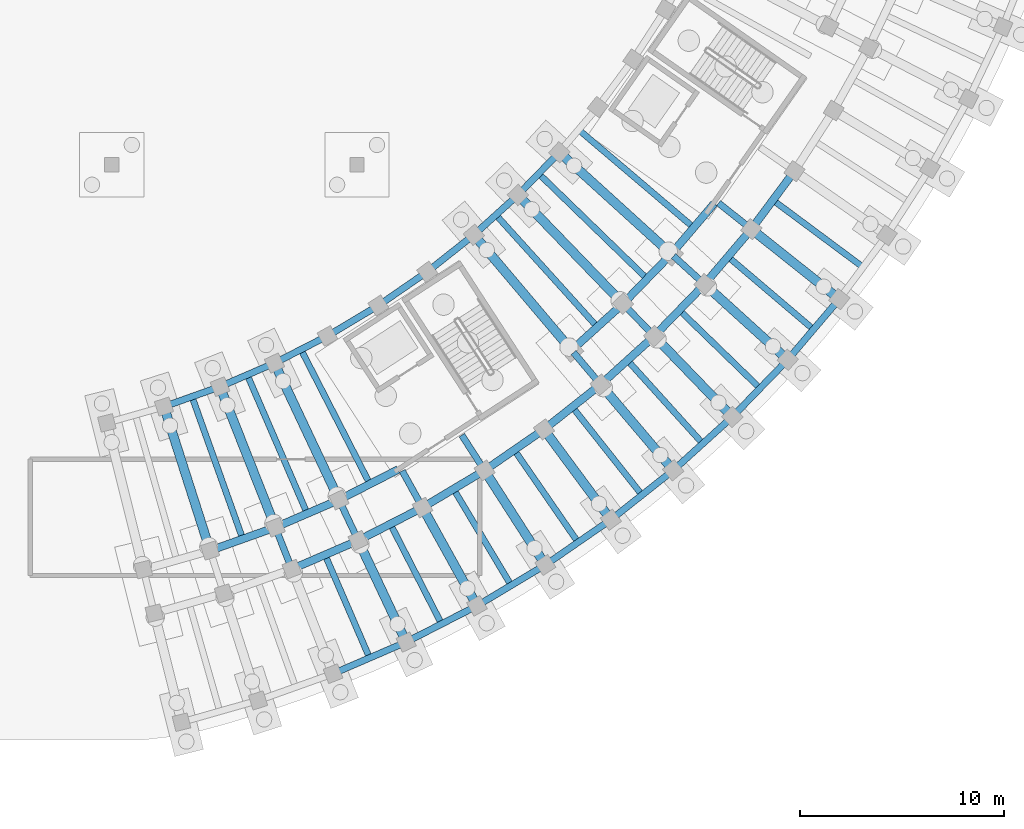
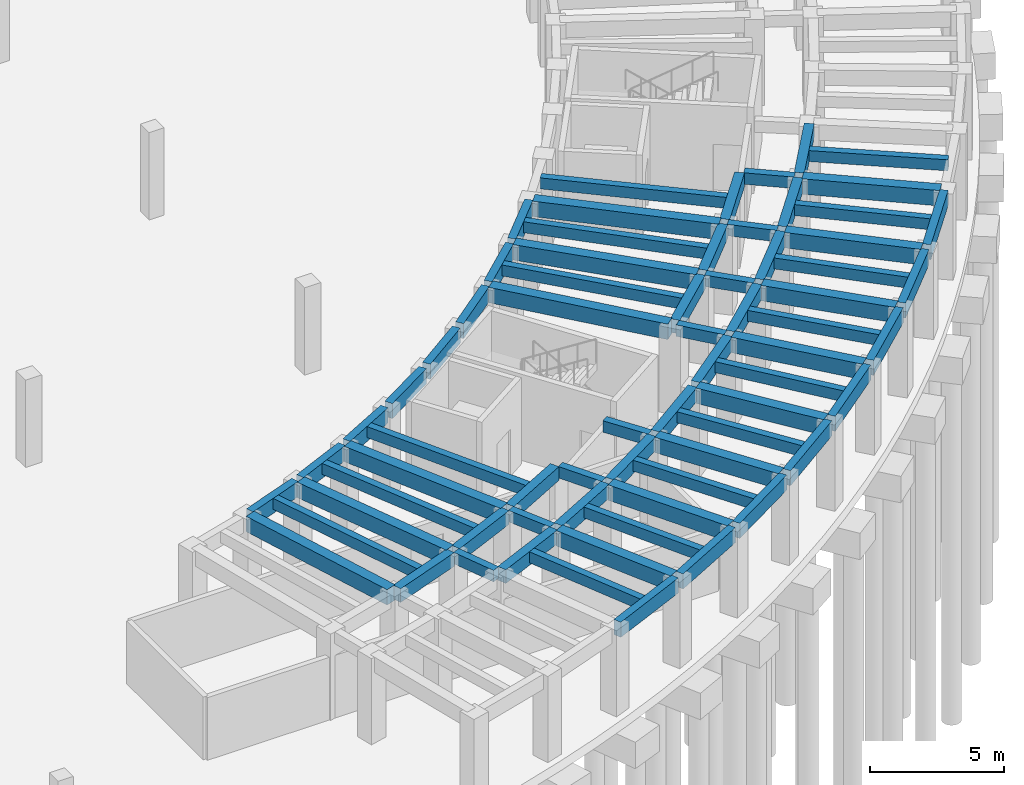
# One storey, part 14 of 29: 68 beams.
"""IFC4 building model written with IfcOpenShell, lengths in metres."""

from ifc_helpers import new_model, si_unit, direction, frame, origin, origin_2d, place, context, subcontext, project, spatial, rectangle, extrude, material, material_profile, profile_set, type_object, element, save


model = new_model("IFC4")

# Units and contexts
model_context = context("Model", 3, precision=1e-05, world=origin(), true_north=direction((0.0, 1.0)))
body_context = subcontext(model_context, "Body", "Model", "MODEL_VIEW")
ifc_project = project(units=[si_unit("LENGTHUNIT", "METRE"), si_unit("AREAUNIT", "SQUARE_METRE"), si_unit("VOLUMEUNIT", "CUBIC_METRE"), si_unit("PLANEANGLEUNIT", "RADIAN"), si_unit("MASSUNIT", "GRAM", prefix="KILO")], contexts=[model_context])

# Site, building, storey
site_placement = place(None, origin())
site = spatial("IfcSite", under=ifc_project, at=site_placement, CompositionType="ELEMENT")
building_placement = place(site_placement, origin())
building = spatial("IfcBuilding", under=site, at=building_placement, Name="Tanwirah Colonnade Gardens", CompositionType="ELEMENT")
storey_placement = place(building_placement, frame((0.0, 0.0, -4.199951171875)))
storey = spatial("IfcBuildingStorey", under=building, at=storey_placement, Name="B1", CompositionType="ELEMENT", Elevation=-4.199951171875)

# Beams
ifc_material_1 = material(Name="Precast concrete C40/50", Category="concrete")
ifc_material_profile_1 = material_profile(ifc_material_1, rectangle(XDim=0.320068359375, YDim=0.52001953125, at=origin_2d()), Name="PC-BM 320x520")
ifc_profile_set_1 = profile_set([ifc_material_profile_1], Name="Precast concrete C40/50")
beam_type_1 = type_object("IfcBeamType", Name="BM-PC320", PredefinedType="BEAM", material=ifc_profile_set_1)
beam_1_placement = place(storey_placement, frame((140.05810546875, 16.1181640625, 3.659912109375), z_axis=(0.366511033969, -0.930413704746, 0.0), x_axis=(0.930413704746, 0.366511033969, 0.0)))
element("IfcBeam", 1, at=beam_1_placement, inside=storey, type_object=beam_type_1, Name="Block D B1 Corridor Tie Beam 2", PredefinedType="BEAM", context=body_context, shape_type="SweptSolid", body=[
    extrude(rectangle(XDim=0.320068359375, YDim=0.52001953125, at=origin_2d()), origin(), (0.0, 0.0, 1.0), 1.899658203125),
])
beam_2_placement = place(storey_placement, frame((143.181640625, 17.46826171875, 3.659912109375), z_axis=(0.426483812015, -0.904495195172, 0.0), x_axis=(0.904495195172, 0.426483812015, 0.0)))
element("IfcBeam", 2, at=beam_2_placement, inside=storey, type_object=beam_type_1, Name="Block D B1 Corridor Tie Beam 3", PredefinedType="BEAM", context=body_context, shape_type="SweptSolid", body=[
    extrude(rectangle(XDim=0.320068359375, YDim=0.52001953125, at=origin_2d()), origin(), (0.0, 0.0, 1.0), 1.89990234375),
])
beam_3_placement = place(storey_placement, frame((146.210205078125, 19.019775390625, 3.659912109375), z_axis=(0.484791759649, -0.874629607192, 0.0), x_axis=(0.874629607192, 0.484791759649, 0.0)))
element("IfcBeam", 3, at=beam_3_placement, inside=storey, type_object=beam_type_1, Name="Block D B1 Corridor Tie Beam 4", PredefinedType="BEAM", context=body_context, shape_type="SweptSolid", body=[
    extrude(rectangle(XDim=0.320068359375, YDim=0.52001953125, at=origin_2d()), origin(), (0.0, 0.0, 1.0), 1.900146484375),
])
beam_4_placement = place(storey_placement, frame((149.130615234375, 20.765869140625, 3.659912109375), z_axis=(0.540984881989, -0.841032316537, 0.0), x_axis=(0.841032316537, 0.540984881989, 0.0)))
element("IfcBeam", 4, at=beam_4_placement, inside=storey, type_object=beam_type_1, Name="Block D B1 Corridor Tie Beam 5", PredefinedType="BEAM", context=body_context, shape_type="SweptSolid", body=[
    extrude(rectangle(XDim=0.320068359375, YDim=0.52001953125, at=origin_2d()), origin(), (0.0, 0.0, 1.0), 1.89990234375),
])
beam_5_placement = place(storey_placement, frame((154.598388671875, 24.81201171875, 3.659912109375), z_axis=(0.646155325581, -0.763205932382, 0.0), x_axis=(0.763205932382, 0.646155325581, 0.0)))
element("IfcBeam", 5, at=beam_5_placement, inside=storey, type_object=beam_type_1, Name="Block D B1 Corridor Tie Beam 7", PredefinedType="BEAM", context=body_context, shape_type="SweptSolid", body=[
    extrude(rectangle(XDim=0.320068359375, YDim=0.52001953125, at=origin_2d()), origin(), (0.0, 0.0, 1.0), 1.900146484375),
])
beam_6_placement = place(storey_placement, frame((157.122314453125, 27.09423828125, 3.659912109375), z_axis=(0.694663306685, -0.719335033448, 0.0), x_axis=(0.719335033448, 0.694663306685, 0.0)))
element("IfcBeam", 6, at=beam_6_placement, inside=storey, type_object=beam_type_1, Name="Block D B1 Corridor Tie Beam 8", PredefinedType="BEAM", context=body_context, shape_type="SweptSolid", body=[
    extrude(rectangle(XDim=0.320068359375, YDim=0.52001953125, at=origin_2d()), origin(), (0.0, 0.0, 1.0), 1.89990234375),
])
beam_7_placement = place(storey_placement, frame((159.491455078125, 29.536865234375, 3.659912109375), z_axis=(0.740219127015, -0.672365707038, 0.0), x_axis=(0.672365707038, 0.740219127015, 0.0)))
element("IfcBeam", 7, at=beam_7_placement, inside=storey, type_object=beam_type_1, Name="Block D B1 Corridor Tie Beam 9", PredefinedType="BEAM", context=body_context, shape_type="SweptSolid", body=[
    extrude(rectangle(XDim=0.320068359375, YDim=0.52001953125, at=origin_2d()), origin(), (0.0, 0.0, 1.0), 1.899658203125),
])
beam_8_placement = place(storey_placement, frame((161.695556640625, 32.129150390625, 3.659912109375), z_axis=(0.782670764896, -0.622435919415, 0.0), x_axis=(0.622435919415, 0.782670764896, 0.0)))
element("IfcBeam", 8, at=beam_8_placement, inside=storey, type_object=beam_type_1, Name="Block D B1 Corridor Tie Beam 10", PredefinedType="BEAM", context=body_context, shape_type="SweptSolid", body=[
    extrude(rectangle(XDim=0.320068359375, YDim=0.52001953125, at=origin_2d()), origin(), (0.0, 0.0, 1.0), 1.89990234375),
])
ifc_material_profile_2 = material_profile(ifc_material_1, rectangle(XDim=0.3798828125, YDim=0.6201171875, at=origin_2d()), Name="PC-BM 380x620")
ifc_profile_set_2 = profile_set([ifc_material_profile_2], Name="Precast concrete C40/50")
beam_type_2 = type_object("IfcBeamType", Name="BM-PC380", PredefinedType="BEAM", material=ifc_profile_set_2)
for number, where, z_axis, x_axis, name in (
    (9, (136.948486328125, 15.168701171875, 3.60986328125), (0.941911444877, 0.335861325564, 0.0), (-0.335861325564, 0.941911444877, 0.0), "Block D B1 Circumferential Beam 1-R1"),
    (10, (140.140869140625, 16.3173828125, 3.60986328125), (0.917936292782, 0.396727819032, 0.0), (-0.396727819032, 0.917936292782, 0.0), "Block D B1 Circumferential Beam 2-R1"),
):
    element("IfcBeam", number, at=place(storey_placement, frame(where, z_axis=z_axis, x_axis=x_axis)), inside=storey, type_object=beam_type_2, Name=name, PredefinedType="BEAM", context=body_context, shape_type="SweptSolid", body=[
        extrude(rectangle(XDim=0.3798828125, YDim=0.6201171875, at=origin_2d()), origin(), (0.0, 0.0, 1.0), 3.093017578125),
    ])
beam_9_placement = place(storey_placement, frame((140.947021484375, 14.2705078125, 3.60986328125), z_axis=(0.917943156181, 0.396711938338, 0.0), x_axis=(-0.396711938338, 0.917943156181, 0.0)))
element("IfcBeam", 11, at=beam_9_placement, inside=storey, type_object=beam_type_2, Name="Block D B1 Circumferential Beam 2-R2", PredefinedType="BEAM", context=body_context, shape_type="SweptSolid", body=[
    extrude(rectangle(XDim=0.3798828125, YDim=0.6201171875, at=origin_2d()), origin(), (0.0, 0.0, 1.0), 3.237060546875),
])
beam_10_placement = place(storey_placement, frame((143.2509765625, 17.67236328125, 3.60986328125), z_axis=(0.890027741769, 0.45590637074, 0.0), x_axis=(-0.45590637074, 0.890027741769, 0.0)))
element("IfcBeam", 12, at=beam_10_placement, inside=storey, type_object=beam_type_2, Name="Block D B1 Circumferential Beam 3-R1", PredefinedType="BEAM", context=body_context, shape_type="SweptSolid", body=[
    extrude(rectangle(XDim=0.3798828125, YDim=0.6201171875, at=origin_2d()), origin(), (0.0, 0.0, 1.0), 3.093017578125),
])
beam_11_placement = place(storey_placement, frame((144.189453125, 15.6826171875, 3.60986328125), z_axis=(0.890025451153, 0.45591084249, 0.0), x_axis=(-0.45591084249, 0.890025451153, 0.0)))
element("IfcBeam", 13, at=beam_11_placement, inside=storey, type_object=beam_type_2, Name="Block D B1 Circumferential Beam 3-R2", PredefinedType="BEAM", context=body_context, shape_type="SweptSolid", body=[
    extrude(rectangle(XDim=0.3798828125, YDim=0.6201171875, at=origin_2d()), origin(), (0.0, 0.0, 1.0), 3.237060546875),
])
beam_12_placement = place(storey_placement, frame((147.332763671875, 17.3037109375, 3.60986328125), z_axis=(0.858270604513, 0.513197398111, 0.0), x_axis=(-0.513197398111, 0.858270604513, 0.0)))
element("IfcBeam", 14, at=beam_12_placement, inside=storey, type_object=beam_type_2, Name="Block D B1 Circumferential Beam 4-R2", PredefinedType="BEAM", context=body_context, shape_type="SweptSolid", body=[
    extrude(rectangle(XDim=0.3798828125, YDim=0.6201171875, at=origin_2d()), origin(), (0.0, 0.0, 1.0), 3.23681640625),
])
beam_13_placement = place(storey_placement, frame((150.363037109375, 19.126953125, 3.60986328125), z_axis=(0.822889344221, 0.568201660651, 0.0), x_axis=(-0.568201660651, 0.822889344221, 0.0)))
element("IfcBeam", 15, at=beam_13_placement, inside=storey, type_object=beam_type_2, Name="Block D B1 Circumferential Beam 5-R2", PredefinedType="BEAM", context=body_context, shape_type="SweptSolid", body=[
    extrude(rectangle(XDim=0.3798828125, YDim=0.6201171875, at=origin_2d()), origin(), (0.0, 0.0, 1.0), 3.237060546875),
])
beam_14_placement = place(storey_placement, frame((153.267822265625, 21.144775390625, 3.60986328125), z_axis=(0.783993819374, 0.620768629349, 0.0), x_axis=(-0.620768629349, 0.783993819374, 0.0)))
element("IfcBeam", 16, at=beam_14_placement, inside=storey, type_object=beam_type_2, Name="Block D B1 Circumferential Beam 6-R2", PredefinedType="BEAM", context=body_context, shape_type="SweptSolid", body=[
    extrude(rectangle(XDim=0.3798828125, YDim=0.6201171875, at=origin_2d()), origin(), (0.0, 0.0, 1.0), 3.23681640625),
])
beam_15_placement = place(storey_placement, frame((154.61279296875, 25.027099609375, 3.60986328125), z_axis=(0.741698455559, 0.670733479873, 0.0), x_axis=(-0.670733479873, 0.741698455559, 0.0)))
element("IfcBeam", 17, at=beam_15_placement, inside=storey, type_object=beam_type_2, Name="Block D B1 Circumferential Beam 7-R1", PredefinedType="BEAM", context=body_context, shape_type="SweptSolid", body=[
    extrude(rectangle(XDim=0.3798828125, YDim=0.6201171875, at=origin_2d()), origin(), (0.0, 0.0, 1.0), 3.0927734375),
])
beam_16_placement = place(storey_placement, frame((156.0341796875, 23.347900390625, 3.60986328125), z_axis=(0.741701929733, 0.670729638104, 0.0), x_axis=(-0.670729638104, 0.741701929733, 0.0)))
element("IfcBeam", 18, at=beam_16_placement, inside=storey, type_object=beam_type_2, Name="Block D B1 Circumferential Beam 7-R2", PredefinedType="BEAM", context=body_context, shape_type="SweptSolid", body=[
    extrude(rectangle(XDim=0.3798828125, YDim=0.6201171875, at=origin_2d()), origin(), (0.0, 0.0, 1.0), 3.237060546875),
])
beam_17_placement = place(storey_placement, frame((157.12255859375, 27.309814453125, 3.60986328125), z_axis=(0.696209937932, 0.71783822852, 0.0), x_axis=(-0.71783822852, 0.696209937932, 0.0)))
element("IfcBeam", 19, at=beam_17_placement, inside=storey, type_object=beam_type_2, Name="Block D B1 Circumferential Beam 8-R1", PredefinedType="BEAM", context=body_context, shape_type="SweptSolid", body=[
    extrude(rectangle(XDim=0.3798828125, YDim=0.6201171875, at=origin_2d()), origin(), (0.0, 0.0, 1.0), 3.093017578125),
])
beam_18_placement = place(storey_placement, frame((158.650634765625, 25.727294921875, 3.60986328125), z_axis=(0.696238887656, 0.717810149911, 0.0), x_axis=(-0.717810149911, 0.696238887656, 0.0)))
element("IfcBeam", 20, at=beam_18_placement, inside=storey, type_object=beam_type_2, Name="Block D B1 Circumferential Beam 8-R2", PredefinedType="BEAM", context=body_context, shape_type="SweptSolid", body=[
    extrude(rectangle(XDim=0.3798828125, YDim=0.6201171875, at=origin_2d()), origin(), (0.0, 0.0, 1.0), 3.23681640625),
])
beam_19_placement = place(storey_placement, frame((159.4775390625, 29.751953125, 3.60986328125), z_axis=(0.647730901566, 0.761869200819, 0.0), x_axis=(-0.761869200819, 0.647730901566, 0.0)))
element("IfcBeam", 21, at=beam_19_placement, inside=storey, type_object=beam_type_2, Name="Block D B1 Circumferential Beam 9-R1", PredefinedType="BEAM", context=body_context, shape_type="SweptSolid", body=[
    extrude(rectangle(XDim=0.3798828125, YDim=0.6201171875, at=origin_2d()), origin(), (0.0, 0.0, 1.0), 3.093017578125),
])
beam_20_placement = place(storey_placement, frame((161.10595703125, 28.27294921875, 3.60986328125), z_axis=(0.6478235549, 0.761790418499, 0.0), x_axis=(-0.761790418499, 0.6478235549, 0.0)))
element("IfcBeam", 22, at=beam_20_placement, inside=storey, type_object=beam_type_2, Name="Block D B1 Circumferential Beam 9-R2", PredefinedType="BEAM", context=body_context, shape_type="SweptSolid", body=[
    extrude(rectangle(XDim=0.3798828125, YDim=0.6201171875, at=origin_2d()), origin(), (0.0, 0.0, 1.0), 3.23681640625),
])
beam_21_placement = place(storey_placement, frame((163.389404296875, 30.973388671875, 3.60986328125), z_axis=(0.596579473879, 0.802554005252, 0.0), x_axis=(-0.802554005252, 0.596579473879, 0.0)))
element("IfcBeam", 23, at=beam_21_placement, inside=storey, type_object=beam_type_2, Name="Block D B1 Circumferential Beam 10-R2", PredefinedType="BEAM", context=body_context, shape_type="SweptSolid", body=[
    extrude(rectangle(XDim=0.3798828125, YDim=0.6201171875, at=origin_2d()), origin(), (0.0, 0.0, 1.0), 3.237060546875),
])
ifc_material_2 = material(Name="Precast concrete C45/55", Category="concrete")
ifc_material_profile_3 = material_profile(ifc_material_2, rectangle(XDim=0.449951171875, YDim=0.699951171875, at=origin_2d()), Name="PC-BM 450x700")
ifc_profile_set_3 = profile_set([ifc_material_profile_3], Name="Precast concrete C45/55")
beam_type_3 = type_object("IfcBeamType", Name="BM-PC450", PredefinedType="BEAM", material=ifc_profile_set_3)
for number, where, z_axis, x_axis, name in (
    (24, (136.761474609375, 15.26123046875, 3.570068359375), (-0.304868054367, 0.952394597542, 0.0), (-0.952394597542, -0.304868054367, 0.0), "Block D B1 Inner Radial Precast Girder 1"),
    (25, (139.947998046875, 16.3974609375, 3.570068359375), (-0.366488437166, 0.930422605821, 0.0), (-0.930422605821, -0.366488437166, 0.0), "Block D B1 Inner Radial Precast Girder 2"),
):
    element("IfcBeam", number, at=place(storey_placement, frame(where, z_axis=z_axis, x_axis=x_axis)), inside=storey, type_object=beam_type_3, Name=name, PredefinedType="BEAM", context=body_context, shape_type="SweptSolid", body=[
        extrude(rectangle(XDim=0.449951171875, YDim=0.699951171875, at=origin_2d()), origin(), (0.0, 0.0, 1.0), 7.099853515625),
    ])
beam_22_placement = place(storey_placement, frame((143.0537109375, 17.73974609375, 3.570068359375), z_axis=(-0.426588425311, 0.904445860951, 0.0), x_axis=(-0.904445860951, -0.426588425311, 0.0)))
element("IfcBeam", 26, at=beam_22_placement, inside=storey, type_object=beam_type_3, Name="Block D B1 Inner Radial Precast Girder 3", PredefinedType="BEAM", context=body_context, shape_type="SweptSolid", body=[
    extrude(rectangle(XDim=0.449951171875, YDim=0.699951171875, at=origin_2d()), origin(), (0.0, 0.0, 1.0), 7.10009765625),
])
for number, where, z_axis, x_axis, name in (
    (27, (144.1201171875, 15.478515625, 3.570068359375), (0.426549833975, -0.904464061827, 0.0), (0.904464061827, 0.426549833975, 0.0), "Block D B1 Outer Radial Precast Girder 3"),
    (28, (147.276611328125, 17.095703125, 3.570068359375), (0.484801599806, -0.874624152894, 0.0), (0.874624152894, 0.484801599806, 0.0), "Block D B1 Outer Radial Precast Girder 4"),
    (29, (150.32080078125, 18.915771484375, 3.570068359375), (0.540952154563, -0.841053367197, 0.0), (0.841053367197, 0.540952154563, 0.0), "Block D B1 Outer Radial Precast Girder 5"),
    (30, (153.239501953125, 20.930908203125, 3.570068359375), (0.594826622676, -0.803854022168, 0.0), (0.803854022168, 0.594826622676, 0.0), "Block D B1 Outer Radial Precast Girder 6"),
):
    element("IfcBeam", number, at=place(storey_placement, frame(where, z_axis=z_axis, x_axis=x_axis)), inside=storey, type_object=beam_type_3, Name=name, PredefinedType="BEAM", context=body_context, shape_type="SweptSolid", body=[
        extrude(rectangle(XDim=0.449951171875, YDim=0.699951171875, at=origin_2d()), origin(), (0.0, 0.0, 1.0), 5.199951171875),
    ])
beam_23_placement = place(storey_placement, frame((154.404541015625, 25.040771484375, 3.570068359375), z_axis=(-0.646117950032, 0.763237574184, 0.0), x_axis=(-0.763237574184, -0.646117950032, 0.0)))
element("IfcBeam", 31, at=beam_23_placement, inside=storey, type_object=beam_type_3, Name="Block D B1 Inner Radial Precast Girder 7", PredefinedType="BEAM", context=body_context, shape_type="SweptSolid", body=[
    extrude(rectangle(XDim=0.449951171875, YDim=0.699951171875, at=origin_2d()), origin(), (0.0, 0.0, 1.0), 7.099853515625),
])
beam_24_placement = place(storey_placement, frame((156.02001953125, 23.1328125, 3.570068359375), z_axis=(0.64613164223, -0.763225982858, 0.0), x_axis=(0.763225982858, 0.64613164223, 0.0)))
element("IfcBeam", 32, at=beam_24_placement, inside=storey, type_object=beam_type_3, Name="Block D B1 Outer Radial Precast Girder 7", PredefinedType="BEAM", context=body_context, shape_type="SweptSolid", body=[
    extrude(rectangle(XDim=0.449951171875, YDim=0.699951171875, at=origin_2d()), origin(), (0.0, 0.0, 1.0), 5.199951171875),
])
beam_25_placement = place(storey_placement, frame((156.913818359375, 27.31005859375, 3.570068359375), z_axis=(-0.694654648761, 0.719343394322, 0.0), x_axis=(-0.719343394322, -0.694654648761, 0.0)))
element("IfcBeam", 33, at=beam_25_placement, inside=storey, type_object=beam_type_3, Name="Block D B1 Inner Radial Precast Girder 8", PredefinedType="BEAM", context=body_context, shape_type="SweptSolid", body=[
    extrude(rectangle(XDim=0.449951171875, YDim=0.699951171875, at=origin_2d()), origin(), (0.0, 0.0, 1.0), 7.10009765625),
])
beam_26_placement = place(storey_placement, frame((158.650390625, 25.51171875, 3.570068359375), z_axis=(0.69467494586, -0.719323793291, 0.0), x_axis=(0.719323793291, 0.69467494586, 0.0)))
element("IfcBeam", 34, at=beam_26_placement, inside=storey, type_object=beam_type_3, Name="Block D B1 Outer Radial Precast Girder 8", PredefinedType="BEAM", context=body_context, shape_type="SweptSolid", body=[
    extrude(rectangle(XDim=0.449951171875, YDim=0.699951171875, at=origin_2d()), origin(), (0.0, 0.0, 1.0), 5.199951171875),
])
beam_27_placement = place(storey_placement, frame((159.269287109375, 29.738525390625, 3.570068359375), z_axis=(-0.740213850321, 0.672371516197, 0.0), x_axis=(-0.672371516197, -0.740213850321, 0.0)))
element("IfcBeam", 35, at=beam_27_placement, inside=storey, type_object=beam_type_3, Name="Block D B1 Inner Radial Precast Girder 9", PredefinedType="BEAM", context=body_context, shape_type="SweptSolid", body=[
    extrude(rectangle(XDim=0.449951171875, YDim=0.699951171875, at=origin_2d()), origin(), (0.0, 0.0, 1.0), 7.10009765625),
])
beam_28_placement = place(storey_placement, frame((161.119873046875, 28.0576171875, 3.570068359375), z_axis=(0.740237431414, -0.672345554855, 0.0), x_axis=(0.672345554855, 0.740237431414, 0.0)))
element("IfcBeam", 36, at=beam_28_placement, inside=storey, type_object=beam_type_3, Name="Block D B1 Outer Radial Precast Girder 9", PredefinedType="BEAM", context=body_context, shape_type="SweptSolid", body=[
    extrude(rectangle(XDim=0.449951171875, YDim=0.699951171875, at=origin_2d()), origin(), (0.0, 0.0, 1.0), 5.199951171875),
])
beam_29_placement = place(storey_placement, frame((163.41748046875, 30.759765625, 3.570068359375), z_axis=(0.782592736164, -0.622534022606, 0.0), x_axis=(0.622534022606, 0.782592736164, 0.0)))
element("IfcBeam", 37, at=beam_29_placement, inside=storey, type_object=beam_type_3, Name="Block D B1 Outer Radial Precast Girder 10", PredefinedType="BEAM", context=body_context, shape_type="SweptSolid", body=[
    extrude(rectangle(XDim=0.449951171875, YDim=0.699951171875, at=origin_2d()), origin(), (0.0, 0.0, 1.0), 5.19970703125),
])
ifc_material_profile_4 = material_profile(ifc_material_1, rectangle(XDim=0.300048828125, YDim=0.5, at=origin_2d()), Name="PC-JST 300x500")
ifc_profile_set_4 = profile_set([ifc_material_profile_4], Name="Precast concrete C40/50")
beam_type_4 = type_object("IfcBeamType", Name="JST-PC300", PredefinedType="JOIST", material=ifc_profile_set_4)
beam_30_placement = place(storey_placement, frame((135.969482421875, 22.51904296875, 3.669921875), z_axis=(0.335861148107, -0.941911508154, 0.0), x_axis=(0.941911508154, 0.335861148107, 0.0)))
element("IfcBeam", 38, at=beam_30_placement, inside=storey, type_object=beam_type_4, Name="Block D B1 Inner Precast Floor Joist 1", PredefinedType="JOIST", context=body_context, shape_type="SweptSolid", body=[
    extrude(rectangle(XDim=0.300048828125, YDim=0.5, at=origin_2d()), origin(), (0.0, 0.0, 1.0), 7.16015625),
])
beam_31_placement = place(storey_placement, frame((142.49169921875, 14.77587890625, 3.669921875), z_axis=(0.396746282, -0.917928312952, 0.0), x_axis=(0.917928312952, 0.396746282, 0.0)))
element("IfcBeam", 39, at=beam_31_placement, inside=storey, type_object=beam_type_4, Name="Block D B1 Precast Floor Joist 2", PredefinedType="JOIST", context=body_context, shape_type="SweptSolid", body=[
    extrude(rectangle(XDim=0.300048828125, YDim=0.5, at=origin_2d()), origin(), (0.0, 0.0, 1.0), 5.260009765625),
])
beam_32_placement = place(storey_placement, frame((138.68310546875, 23.587890625, 3.669921875), z_axis=(0.396736454079, -0.917932560706, 0.0), x_axis=(0.917932560706, 0.396736454079, 0.0)))
element("IfcBeam", 40, at=beam_32_placement, inside=storey, type_object=beam_type_4, Name="Block D B1 Inner Precast Floor Joist 2", PredefinedType="JOIST", context=body_context, shape_type="SweptSolid", body=[
    extrude(rectangle(XDim=0.300048828125, YDim=0.5, at=origin_2d()), origin(), (0.0, 0.0, 1.0), 7.159912109375),
])
beam_33_placement = place(storey_placement, frame((145.697998046875, 16.287841796875, 3.669921875), z_axis=(0.455936851617, -0.890012127635, 0.0), x_axis=(0.890012127635, 0.455936851617, 0.0)))
element("IfcBeam", 41, at=beam_33_placement, inside=storey, type_object=beam_type_4, Name="Block D B1 Precast Floor Joist 3", PredefinedType="JOIST", context=body_context, shape_type="SweptSolid", body=[
    extrude(rectangle(XDim=0.300048828125, YDim=0.5, at=origin_2d()), origin(), (0.0, 0.0, 1.0), 5.260009765625),
])
beam_34_placement = place(storey_placement, frame((141.321044921875, 24.83203125, 3.669921875), z_axis=(0.455921327553, -0.890020080157, 0.0), x_axis=(0.890020080157, 0.455921327553, 0.0)))
element("IfcBeam", 42, at=beam_34_placement, inside=storey, type_object=beam_type_4, Name="Block D B1 Inner Precast Floor Joist 3", PredefinedType="JOIST", context=body_context, shape_type="SweptSolid", body=[
    extrude(rectangle(XDim=0.300048828125, YDim=0.5, at=origin_2d()), origin(), (0.0, 0.0, 1.0), 7.159912109375),
])
for number, where, z_axis, x_axis, name in (
    (43, (148.79833984375, 18.006591796875, 3.669921875), (0.513157303227, -0.858294577721, 0.0), (0.858294577721, 0.513157303227, 0.0), "Block D B1 Precast Floor Joist 4"),
    (44, (151.779541015625, 19.924072265625, 3.669921875), (0.56820792868, -0.822885016138, 0.0), (0.822885016138, 0.56820792868, 0.0), "Block D B1 Precast Floor Joist 5"),
    (45, (154.629150390625, 22.03271484375, 3.669921875), (0.620787347885, -0.783978997617, 0.0), (0.783978997617, 0.620787347885, 0.0), "Block D B1 Precast Floor Joist 6"),
    (46, (157.33447265625, 24.322998046875, 3.669921875), (0.670780841255, -0.741655622918, 0.0), (0.741655622918, 0.670780841255, 0.0), "Block D B1 Precast Floor Joist 7"),
):
    element("IfcBeam", number, at=place(storey_placement, frame(where, z_axis=z_axis, x_axis=x_axis)), inside=storey, type_object=beam_type_4, Name=name, PredefinedType="JOIST", context=body_context, shape_type="SweptSolid", body=[
        extrude(rectangle(XDim=0.300048828125, YDim=0.5, at=origin_2d()), origin(), (0.0, 0.0, 1.0), 5.260009765625),
    ])
beam_35_placement = place(storey_placement, frame((150.895263671875, 31.443115234375, 3.669921875), z_axis=(0.670773136608, -0.741662591214, 0.0), x_axis=(0.741662591214, 0.670773136608, 0.0)))
element("IfcBeam", 47, at=beam_35_placement, inside=storey, type_object=beam_type_4, Name="Block D B1 Inner Precast Floor Joist 7", PredefinedType="JOIST", context=body_context, shape_type="SweptSolid", body=[
    extrude(rectangle(XDim=0.300048828125, YDim=0.5, at=origin_2d()), origin(), (0.0, 0.0, 1.0), 7.159912109375),
])
beam_36_placement = place(storey_placement, frame((159.884521484375, 26.785400390625, 3.669921875), z_axis=(0.717816036263, -0.696232818878, 0.0), x_axis=(0.696232818878, 0.717816036263, 0.0)))
element("IfcBeam", 48, at=beam_36_placement, inside=storey, type_object=beam_type_4, Name="Block D B1 Precast Floor Joist 8", PredefinedType="JOIST", context=body_context, shape_type="SweptSolid", body=[
    extrude(rectangle(XDim=0.300048828125, YDim=0.5, at=origin_2d()), origin(), (0.0, 0.0, 1.0), 5.260009765625),
])
beam_37_placement = place(storey_placement, frame((152.993408203125, 33.46923828125, 3.669921875), z_axis=(0.717816218075, -0.69623263143, 0.0), x_axis=(0.69623263143, 0.717816218075, 0.0)))
element("IfcBeam", 49, at=beam_37_placement, inside=storey, type_object=beam_type_4, Name="Block D B1 Inner Precast Floor Joist 8", PredefinedType="JOIST", context=body_context, shape_type="SweptSolid", body=[
    extrude(rectangle(XDim=0.300048828125, YDim=0.5, at=origin_2d()), origin(), (0.0, 0.0, 1.0), 7.16015625),
])
beam_38_placement = place(storey_placement, frame((162.267822265625, 29.409423828125, 3.669921875), z_axis=(0.761803021124, -0.647808734895, 0.0), x_axis=(0.647808734895, 0.761803021124, 0.0)))
element("IfcBeam", 50, at=beam_38_placement, inside=storey, type_object=beam_type_4, Name="Block D B1 Precast Floor Joist 9", PredefinedType="JOIST", context=body_context, shape_type="SweptSolid", body=[
    extrude(rectangle(XDim=0.300048828125, YDim=0.5, at=origin_2d()), origin(), (0.0, 0.0, 1.0), 5.260009765625),
])
beam_39_placement = place(storey_placement, frame((154.954345703125, 35.628173828125, 3.669921875), z_axis=(0.761816472242, -0.647792916464, 0.0), x_axis=(0.647792916464, 0.761816472242, 0.0)))
element("IfcBeam", 51, at=beam_39_placement, inside=storey, type_object=beam_type_4, Name="Block D B1 Inner Precast Floor Joist 9", PredefinedType="JOIST", context=body_context, shape_type="SweptSolid", body=[
    extrude(rectangle(XDim=0.300048828125, YDim=0.5, at=origin_2d()), origin(), (0.0, 0.0, 1.0), 7.159912109375),
])
beam_40_placement = place(storey_placement, frame((164.474609375, 32.18359375, 3.669921875), z_axis=(0.802560347737, -0.596570941499, 0.0), x_axis=(0.596570941499, 0.802560347737, 0.0)))
element("IfcBeam", 52, at=beam_40_placement, inside=storey, type_object=beam_type_4, Name="Block D B1 Precast Floor Joist 10", PredefinedType="JOIST", context=body_context, shape_type="SweptSolid", body=[
    extrude(rectangle(XDim=0.300048828125, YDim=0.5, at=origin_2d()), origin(), (0.0, 0.0, 1.0), 5.260009765625),
])
ifc_material_profile_5 = material_profile(ifc_material_1, rectangle(XDim=0.324951171875, YDim=0.68505859375, at=origin_2d()), Name="PC-SP 325x685")
ifc_profile_set_5 = profile_set([ifc_material_profile_5], Name="Precast concrete C40/50")
beam_type_5 = type_object("IfcBeamType", Name="SP-PC260", PredefinedType="SPANDREL", material=ifc_profile_set_5)
for number, where, z_axis, x_axis, name in (
    (53, (134.692626953125, 22.21630859375, 3.577392578125), (0.941898499992, 0.335897626835, 0.0), (-0.335897626835, 0.941898499992, 0.0), "Block D B1 Circumferential Beam 1-R0"),
    (54, (137.4287109375, 23.202392578125, 3.577392578125), (0.917901260915, 0.396808864833, 0.0), (-0.396808864833, 0.917901260915, 0.0), "Block D B1 Circumferential Beam 2-R0"),
):
    element("IfcBeam", number, at=place(storey_placement, frame(where, z_axis=z_axis, x_axis=x_axis)), inside=storey, type_object=beam_type_5, Name=name, PredefinedType="SPANDREL", context=body_context, shape_type="SweptSolid", body=[
        extrude(rectangle(XDim=0.324951171875, YDim=0.68505859375, at=origin_2d()), origin(), (0.0, 0.0, 1.0), 2.608642578125),
    ])
beam_41_placement = place(storey_placement, frame((142.962890625, 9.153076171875, 3.577392578125), z_axis=(0.917925861765, 0.396751953118, 0.0), x_axis=(-0.396751953118, 0.917925861765, 0.0)))
element("IfcBeam", 55, at=beam_41_placement, inside=storey, type_object=beam_type_5, Name="Block D B1 Circumferential Beam 2-R3", PredefinedType="SPANDREL", context=body_context, shape_type="SweptSolid", body=[
    extrude(rectangle(XDim=0.324951171875, YDim=0.68505859375, at=origin_2d()), origin(), (0.0, 0.0, 1.0), 3.5966796875),
])
beam_42_placement = place(storey_placement, frame((140.094482421875, 24.365478515625, 3.577392578125), z_axis=(0.890042438658, 0.455877678097, 0.0), x_axis=(-0.455877678097, 0.890042438658, 0.0)))
element("IfcBeam", 56, at=beam_42_placement, inside=storey, type_object=beam_type_5, Name="Block D B1 Circumferential Beam 3-R0", PredefinedType="SPANDREL", context=body_context, shape_type="SweptSolid", body=[
    extrude(rectangle(XDim=0.324951171875, YDim=0.68505859375, at=origin_2d()), origin(), (0.0, 0.0, 1.0), 2.608642578125),
])
beam_43_placement = place(storey_placement, frame((146.53564453125, 10.7080078125, 3.577392578125), z_axis=(0.890013134589, 0.455934885985, 0.0), x_axis=(-0.455934885985, 0.890013134589, 0.0)))
element("IfcBeam", 57, at=beam_43_placement, inside=storey, type_object=beam_type_5, Name="Block D B1 Circumferential Beam 3-R3", PredefinedType="SPANDREL", context=body_context, shape_type="SweptSolid", body=[
    extrude(rectangle(XDim=0.324951171875, YDim=0.68505859375, at=origin_2d()), origin(), (0.0, 0.0, 1.0), 3.5966796875),
])
beam_44_placement = place(storey_placement, frame((142.678466796875, 25.7001953125, 3.577392578125), z_axis=(0.858301131151, 0.513146341958, 0.0), x_axis=(-0.513146341958, 0.858301131151, 0.0)))
element("IfcBeam", 58, at=beam_44_placement, inside=storey, type_object=beam_type_5, Name="Block D B1 Circumferential Beam 4-R0", PredefinedType="SPANDREL", context=body_context, shape_type="SweptSolid", body=[
    extrude(rectangle(XDim=0.324951171875, YDim=0.68505859375, at=origin_2d()), origin(), (0.0, 0.0, 1.0), 2.608642578125),
])
beam_45_placement = place(storey_placement, frame((149.999267578125, 12.493408203125, 3.577392578125), z_axis=(0.858282522832, 0.513177465407, 0.0), x_axis=(-0.513177465407, 0.858282522832, 0.0)))
element("IfcBeam", 59, at=beam_45_placement, inside=storey, type_object=beam_type_5, Name="Block D B1 Circumferential Beam 4-R3", PredefinedType="SPANDREL", context=body_context, shape_type="SweptSolid", body=[
    extrude(rectangle(XDim=0.324951171875, YDim=0.68505859375, at=origin_2d()), origin(), (0.0, 0.0, 1.0), 3.5966796875),
])
beam_46_placement = place(storey_placement, frame((145.169677734375, 27.200927734375, 3.577392578125), z_axis=(0.822868771031, 0.568231454305, 0.0), x_axis=(-0.568231454305, 0.822868771031, 0.0)))
element("IfcBeam", 60, at=beam_46_placement, inside=storey, type_object=beam_type_5, Name="Block D B1 Circumferential Beam 5-R0", PredefinedType="SPANDREL", context=body_context, shape_type="SweptSolid", body=[
    extrude(rectangle(XDim=0.324951171875, YDim=0.68505859375, at=origin_2d()), origin(), (0.0, 0.0, 1.0), 2.60888671875),
])
beam_47_placement = place(storey_placement, frame((153.33837890625, 14.50146484375, 3.577392578125), z_axis=(0.822907478943, 0.568175396423, 0.0), x_axis=(-0.568175396423, 0.822907478943, 0.0)))
element("IfcBeam", 61, at=beam_47_placement, inside=storey, type_object=beam_type_5, Name="Block D B1 Circumferential Beam 5-R3", PredefinedType="SPANDREL", context=body_context, shape_type="SweptSolid", body=[
    extrude(rectangle(XDim=0.324951171875, YDim=0.68505859375, at=origin_2d()), origin(), (0.0, 0.0, 1.0), 3.596923828125),
])
beam_48_placement = place(storey_placement, frame((147.557373046875, 28.861572265625, 3.577392578125), z_axis=(0.783945239852, 0.62082997746, 0.0), x_axis=(-0.62082997746, 0.783945239852, 0.0)))
element("IfcBeam", 62, at=beam_48_placement, inside=storey, type_object=beam_type_5, Name="Block D B1 Circumferential Beam 6-R0", PredefinedType="SPANDREL", context=body_context, shape_type="SweptSolid", body=[
    extrude(rectangle(XDim=0.324951171875, YDim=0.68505859375, at=origin_2d()), origin(), (0.0, 0.0, 1.0), 2.60888671875),
])
beam_49_placement = place(storey_placement, frame((156.539306640625, 16.723388671875, 3.577392578125), z_axis=(0.783971495357, 0.620796822211, 0.0), x_axis=(-0.620796822211, 0.783971495357, 0.0)))
element("IfcBeam", 63, at=beam_49_placement, inside=storey, type_object=beam_type_5, Name="Block D B1 Circumferential Beam 6-R3", PredefinedType="SPANDREL", context=body_context, shape_type="SweptSolid", body=[
    extrude(rectangle(XDim=0.324951171875, YDim=0.68505859375, at=origin_2d()), origin(), (0.0, 0.0, 1.0), 3.596923828125),
])
beam_50_placement = place(storey_placement, frame((149.83154296875, 30.675048828125, 3.577392578125), z_axis=(0.741686528432, 0.670746668678, 0.0), x_axis=(-0.670746668678, 0.741686528432, 0.0)))
element("IfcBeam", 64, at=beam_50_placement, inside=storey, type_object=beam_type_5, Name="Block D B1 Circumferential Beam 7-R0", PredefinedType="SPANDREL", context=body_context, shape_type="SweptSolid", body=[
    extrude(rectangle(XDim=0.324951171875, YDim=0.68505859375, at=origin_2d()), origin(), (0.0, 0.0, 1.0), 2.608642578125),
])
beam_51_placement = place(storey_placement, frame((159.587890625, 19.150146484375, 3.577392578125), z_axis=(0.741682092868, 0.670751573325, 0.0), x_axis=(-0.670751573325, 0.741682092868, 0.0)))
element("IfcBeam", 65, at=beam_51_placement, inside=storey, type_object=beam_type_5, Name="Block D B1 Circumferential Beam 7-R3", PredefinedType="SPANDREL", context=body_context, shape_type="SweptSolid", body=[
    extrude(rectangle(XDim=0.324951171875, YDim=0.68505859375, at=origin_2d()), origin(), (0.0, 0.0, 1.0), 3.596923828125),
])
beam_52_placement = place(storey_placement, frame((151.98193359375, 32.633056640625, 3.577392578125), z_axis=(0.696262751108, 0.717787002822, 0.0), x_axis=(-0.717787002822, 0.696262751108, 0.0)))
element("IfcBeam", 66, at=beam_52_placement, inside=storey, type_object=beam_type_5, Name="Block D B1 Circumferential Beam 8-R0", PredefinedType="SPANDREL", context=body_context, shape_type="SweptSolid", body=[
    extrude(rectangle(XDim=0.324951171875, YDim=0.68505859375, at=origin_2d()), origin(), (0.0, 0.0, 1.0), 2.60888671875),
])
for number, where, z_axis, x_axis, name in (
    (67, (162.471435546875, 21.77099609375, 3.577392578125), (0.696231699401, 0.717817122079, 0.0), (-0.717817122079, 0.696231699401, 0.0), "Block D B1 Circumferential Beam 8-R3"),
    (68, (165.17724609375, 24.574951171875, 3.577392578125), (0.647784367984, 0.76182374116, 0.0), (-0.76182374116, 0.647784367984, 0.0), "Block D B1 Circumferential Beam 9-R3"),
):
    element("IfcBeam", number, at=place(storey_placement, frame(where, z_axis=z_axis, x_axis=x_axis)), inside=storey, type_object=beam_type_5, Name=name, PredefinedType="SPANDREL", context=body_context, shape_type="SweptSolid", body=[
        extrude(rectangle(XDim=0.324951171875, YDim=0.68505859375, at=origin_2d()), origin(), (0.0, 0.0, 1.0), 3.5966796875),
    ])

save(model, "model.ifc")
